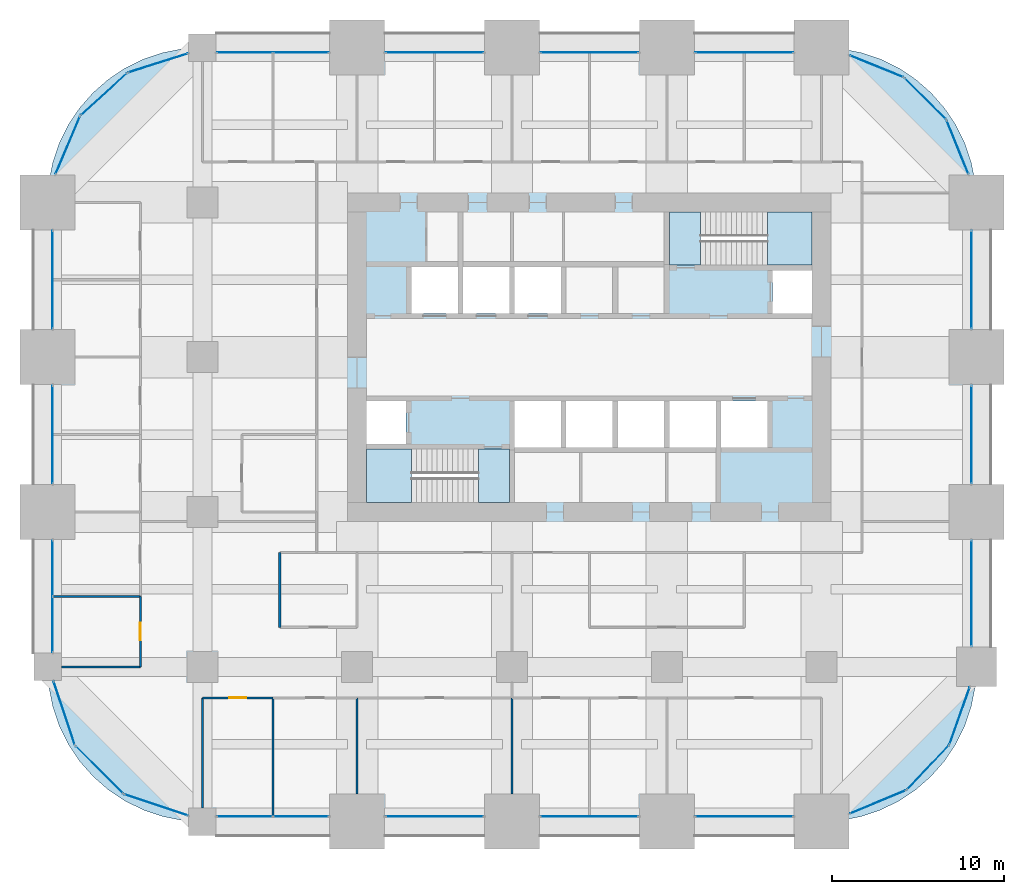
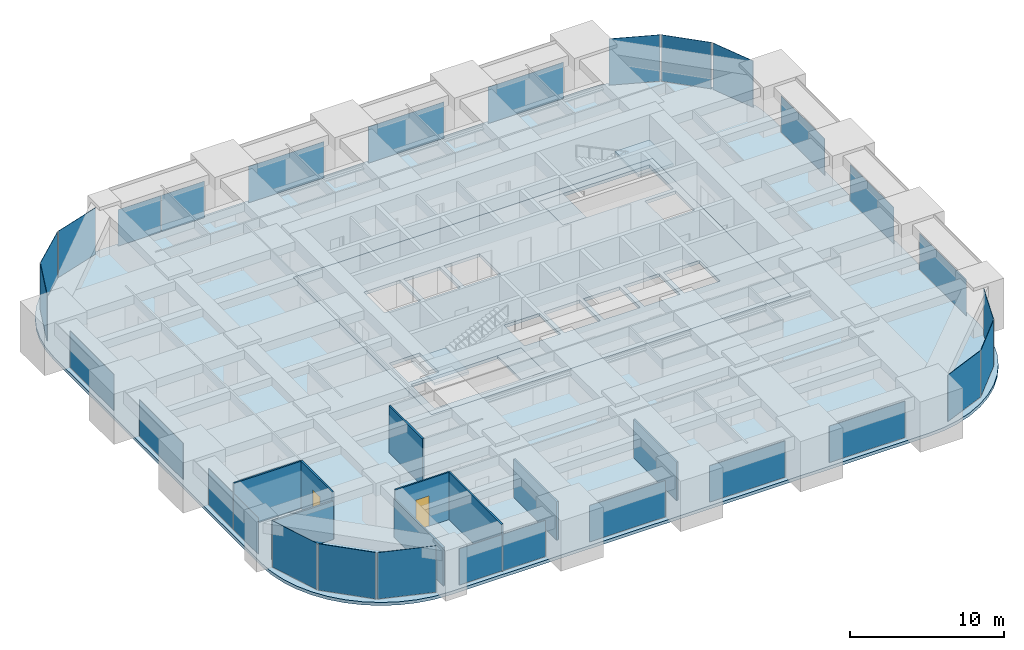
# One storey, part 30 of 36: 29 plates, 9 walls, 6 slabs, 2 doors, 2 openings, 28 elements without a shape of their own.
"""IFC4 building model written with IfcOpenShell, lengths in metres."""

from ifc_helpers import new_model, si_unit, direction, frame, frame_2d, origin, origin_2d, place, context, subcontext, project, spatial, polyline, rectangle, outline, extrude, material, layer, layer_set, type_object, element, fill, aggregate, save


model = new_model("IFC4")

# Units and contexts
model_context = context("Model", 3, precision=1e-05, world=origin(), true_north=direction((0.0, 1.0)))
body_context = subcontext(model_context, "Body", "Model", "MODEL_VIEW")
ifc_project = project(units=[si_unit("LENGTHUNIT", "METRE"), si_unit("AREAUNIT", "SQUARE_METRE"), si_unit("VOLUMEUNIT", "CUBIC_METRE"), si_unit("PLANEANGLEUNIT", "RADIAN"), si_unit("MASSUNIT", "GRAM", prefix="KILO")], contexts=[model_context])

# Site, building, storey
site_placement = place(None, origin())
site = spatial("IfcSite", under=ifc_project, at=site_placement, CompositionType="ELEMENT")
building_placement = place(site_placement, origin())
building = spatial("IfcBuilding", under=site, at=building_placement, Name="Zorevar Civic Tower", CompositionType="ELEMENT")
storey_placement = place(building_placement, frame((0.0, 0.0, 166.199951171875)))
storey = spatial("IfcBuildingStorey", under=building, at=storey_placement, Name="L40", CompositionType="ELEMENT", Elevation=166.199951171875)

# Curtain wall, plates
ifc_material_1 = material(Name="Dark grey solar-control glass in black aluminium frame", Category="aluminium")
curtain_wall_type = type_object("IfcCurtainWallType", Name="Curtain wall CW4 high zone", PredefinedType="NOTDEFINED", material=ifc_material_1)
curtain_wall_1_placement = place(storey_placement, origin())
curtain_wall_1 = element("IfcCurtainWall", 1, at=curtain_wall_1_placement, inside=storey, type_object=curtain_wall_type, Name="CW4 L40", PredefinedType="NOTDEFINED")
ifc_material_2 = material(Name="Dark grey solar-control glass", Category="glass")
ifc_layer_1 = layer(ifc_material_2, 0.028076171875)
ifc_layer_set_1 = layer_set([ifc_layer_1], Name="CW4 panel 28")
plate_type = type_object("IfcPlateType", Name="CW4 panel 28", PredefinedType="CURTAIN_PANEL", material=ifc_layer_set_1)
plate_1_placement = place(storey_placement, frame((11.465087890625, 0.300048828125, 0.06005859375), z_axis=(0.0, 0.0, 1.0), x_axis=(1.0, 0.0, 0.0)))
plate_1 = element("IfcPlate", 2, at=plate_1_placement, type_object=plate_type, Name="CW4 panel 1.1", PredefinedType="CURTAIN_PANEL", context=body_context, shape_type="SweptSolid", body=[
    extrude(rectangle(XDim=3.2099609375, YDim=0.028076171875, at=origin_2d()), origin(), (0.0, 0.0, 1.0), 2.889892578125),
])
plate_2_placement = place(storey_placement, frame((14.735107421875, 0.300048828125, 0.06005859375), z_axis=(0.0, 0.0, 1.0), x_axis=(1.0, 0.0, 0.0)))
plate_2 = element("IfcPlate", 3, at=plate_2_placement, type_object=plate_type, Name="CW4 panel 2.1", PredefinedType="CURTAIN_PANEL", context=body_context, shape_type="SweptSolid", body=[
    extrude(rectangle(XDim=3.2099609375, YDim=0.028076171875, at=origin_2d()), origin(), (0.0, 0.0, 1.0), 2.889892578125),
])
aggregate(curtain_wall_1, [plate_1, plate_2])

curtain_wall_2_placement = place(storey_placement, origin())
curtain_wall_2 = element("IfcCurtainWall", 4, at=curtain_wall_2_placement, inside=storey, type_object=curtain_wall_type, Name="CW4 L40", PredefinedType="NOTDEFINED")
plate_3_placement = place(storey_placement, frame((11.465087890625, 44.699951171875, 0.06005859375), z_axis=(0.0, 0.0, 1.0), x_axis=(1.0, 0.0, 0.0)))
plate_3 = element("IfcPlate", 5, at=plate_3_placement, type_object=plate_type, Name="CW4 panel 1.1", PredefinedType="CURTAIN_PANEL", context=body_context, shape_type="SweptSolid", body=[
    extrude(rectangle(XDim=3.2099609375, YDim=0.028076171875, at=origin_2d()), origin(), (0.0, 0.0, 1.0), 2.889892578125),
])
plate_4_placement = place(storey_placement, frame((14.735107421875, 44.699951171875, 0.06005859375), z_axis=(0.0, 0.0, 1.0), x_axis=(1.0, 0.0, 0.0)))
plate_4 = element("IfcPlate", 6, at=plate_4_placement, type_object=plate_type, Name="CW4 panel 2.1", PredefinedType="CURTAIN_PANEL", context=body_context, shape_type="SweptSolid", body=[
    extrude(rectangle(XDim=3.2099609375, YDim=0.028076171875, at=origin_2d()), origin(), (0.0, 0.0, 1.0), 2.889892578125),
])
aggregate(curtain_wall_2, [plate_3, plate_4])

# Curtain wall, plate
curtain_wall_3_placement = place(storey_placement, origin())
curtain_wall_3 = element("IfcCurtainWall", 7, at=curtain_wall_3_placement, inside=storey, type_object=curtain_wall_type, Name="CW4 L40", PredefinedType="NOTDEFINED")
plate_5_placement = place(storey_placement, frame((22.5, 0.300048828125, 0.06005859375), z_axis=(0.0, 0.0, 1.0), x_axis=(1.0, 0.0, 0.0)))
plate_5 = element("IfcPlate", 8, at=plate_5_placement, type_object=plate_type, Name="CW4 panel 1.1", PredefinedType="CURTAIN_PANEL", context=body_context, shape_type="SweptSolid", body=[
    extrude(rectangle(XDim=5.679931640625, YDim=0.028076171875, at=origin_2d()), origin(), (0.0, 0.0, 1.0), 2.889892578125),
])
aggregate(curtain_wall_3, [plate_5])

curtain_wall_4_placement = place(storey_placement, origin())
curtain_wall_4 = element("IfcCurtainWall", 9, at=curtain_wall_4_placement, inside=storey, type_object=curtain_wall_type, Name="CW4 L40", PredefinedType="NOTDEFINED")
plate_6_placement = place(storey_placement, frame((22.5, 44.699951171875, 0.06005859375), z_axis=(0.0, 0.0, 1.0), x_axis=(1.0, 0.0, 0.0)))
plate_6 = element("IfcPlate", 10, at=plate_6_placement, type_object=plate_type, Name="CW4 panel 1.1", PredefinedType="CURTAIN_PANEL", context=body_context, shape_type="SweptSolid", body=[
    extrude(rectangle(XDim=5.679931640625, YDim=0.028076171875, at=origin_2d()), origin(), (0.0, 0.0, 1.0), 2.889892578125),
])
aggregate(curtain_wall_4, [plate_6])

curtain_wall_5_placement = place(storey_placement, origin())
curtain_wall_5 = element("IfcCurtainWall", 11, at=curtain_wall_5_placement, inside=storey, type_object=curtain_wall_type, Name="CW4 L40", PredefinedType="NOTDEFINED")
plate_7_placement = place(storey_placement, frame((31.5, 0.300048828125, 0.06005859375), z_axis=(0.0, 0.0, 1.0), x_axis=(1.0, 0.0, 0.0)))
plate_7 = element("IfcPlate", 12, at=plate_7_placement, type_object=plate_type, Name="CW4 panel 1.1", PredefinedType="CURTAIN_PANEL", context=body_context, shape_type="SweptSolid", body=[
    extrude(rectangle(XDim=5.679931640625, YDim=0.028076171875, at=origin_2d()), origin(), (0.0, 0.0, 1.0), 2.889892578125),
])
aggregate(curtain_wall_5, [plate_7])

curtain_wall_6_placement = place(storey_placement, origin())
curtain_wall_6 = element("IfcCurtainWall", 13, at=curtain_wall_6_placement, inside=storey, type_object=curtain_wall_type, Name="CW4 L40", PredefinedType="NOTDEFINED")
plate_8_placement = place(storey_placement, frame((31.5, 44.699951171875, 0.06005859375), z_axis=(0.0, 0.0, 1.0), x_axis=(1.0, 0.0, 0.0)))
plate_8 = element("IfcPlate", 14, at=plate_8_placement, type_object=plate_type, Name="CW4 panel 1.1", PredefinedType="CURTAIN_PANEL", context=body_context, shape_type="SweptSolid", body=[
    extrude(rectangle(XDim=5.679931640625, YDim=0.028076171875, at=origin_2d()), origin(), (0.0, 0.0, 1.0), 2.889892578125),
])
aggregate(curtain_wall_6, [plate_8])

curtain_wall_7_placement = place(storey_placement, origin())
curtain_wall_7 = element("IfcCurtainWall", 15, at=curtain_wall_7_placement, inside=storey, type_object=curtain_wall_type, Name="CW4 L40", PredefinedType="NOTDEFINED")
plate_9_placement = place(storey_placement, frame((40.5, 0.300048828125, 0.06005859375), z_axis=(0.0, 0.0, 1.0), x_axis=(1.0, 0.0, 0.0)))
plate_9 = element("IfcPlate", 16, at=plate_9_placement, type_object=plate_type, Name="CW4 panel 1.1", PredefinedType="CURTAIN_PANEL", context=body_context, shape_type="SweptSolid", body=[
    extrude(rectangle(XDim=5.679931640625, YDim=0.028076171875, at=origin_2d()), origin(), (0.0, 0.0, 1.0), 2.889892578125),
])
aggregate(curtain_wall_7, [plate_9])

curtain_wall_8_placement = place(storey_placement, origin())
curtain_wall_8 = element("IfcCurtainWall", 17, at=curtain_wall_8_placement, inside=storey, type_object=curtain_wall_type, Name="CW4 L40", PredefinedType="NOTDEFINED")
plate_10_placement = place(storey_placement, frame((40.5, 44.699951171875, 0.06005859375), z_axis=(0.0, 0.0, 1.0), x_axis=(1.0, 0.0, 0.0)))
plate_10 = element("IfcPlate", 18, at=plate_10_placement, type_object=plate_type, Name="CW4 panel 1.1", PredefinedType="CURTAIN_PANEL", context=body_context, shape_type="SweptSolid", body=[
    extrude(rectangle(XDim=5.679931640625, YDim=0.028076171875, at=origin_2d()), origin(), (0.0, 0.0, 1.0), 2.889892578125),
])
aggregate(curtain_wall_8, [plate_10])

# Curtain wall, plates
curtain_wall_9_placement = place(storey_placement, origin())
curtain_wall_9 = element("IfcCurtainWall", 19, at=curtain_wall_9_placement, inside=storey, type_object=curtain_wall_type, Name="CW4 L40", PredefinedType="NOTDEFINED")
plate_11_placement = place(storey_placement, frame((0.300048828125, 11.465087890625, 0.06005859375), z_axis=(0.0, 0.0, 1.0), x_axis=(0.0, 1.0, 0.0)))
plate_11 = element("IfcPlate", 20, at=plate_11_placement, type_object=plate_type, Name="CW4 panel 1.1", PredefinedType="CURTAIN_PANEL", context=body_context, shape_type="SweptSolid", body=[
    extrude(rectangle(XDim=3.2099609375, YDim=0.028076171875, at=origin_2d()), origin(), (0.0, 0.0, 1.0), 2.889892578125),
])
plate_12_placement = place(storey_placement, frame((0.300048828125, 14.735107421875, 0.06005859375), z_axis=(0.0, 0.0, 1.0), x_axis=(0.0, 1.0, 0.0)))
plate_12 = element("IfcPlate", 21, at=plate_12_placement, type_object=plate_type, Name="CW4 panel 2.1", PredefinedType="CURTAIN_PANEL", context=body_context, shape_type="SweptSolid", body=[
    extrude(rectangle(XDim=3.2099609375, YDim=0.028076171875, at=origin_2d()), origin(), (0.0, 0.0, 1.0), 2.889892578125),
])
aggregate(curtain_wall_9, [plate_11, plate_12])

# Curtain wall, plate
curtain_wall_10_placement = place(storey_placement, origin())
curtain_wall_10 = element("IfcCurtainWall", 22, at=curtain_wall_10_placement, inside=storey, type_object=curtain_wall_type, Name="CW4 L40", PredefinedType="NOTDEFINED")
plate_13_placement = place(storey_placement, frame((53.699951171875, 13.27490234375, 0.06005859375), z_axis=(0.0, 0.0, 1.0), x_axis=(0.0, 1.0, 0.0)))
plate_13 = element("IfcPlate", 23, at=plate_13_placement, type_object=plate_type, Name="CW4 panel 1.1", PredefinedType="CURTAIN_PANEL", context=body_context, shape_type="SweptSolid", body=[
    extrude(rectangle(XDim=6.1298828125, YDim=0.028076171875, at=origin_2d()), origin(), (0.0, 0.0, 1.0), 2.889892578125),
])
aggregate(curtain_wall_10, [plate_13])

curtain_wall_11_placement = place(storey_placement, origin())
curtain_wall_11 = element("IfcCurtainWall", 24, at=curtain_wall_11_placement, inside=storey, type_object=curtain_wall_type, Name="CW4 L40", PredefinedType="NOTDEFINED")
plate_14_placement = place(storey_placement, frame((0.300048828125, 22.5, 0.06005859375), z_axis=(0.0, 0.0, 1.0), x_axis=(0.0, 1.0, 0.0)))
plate_14 = element("IfcPlate", 25, at=plate_14_placement, type_object=plate_type, Name="CW4 panel 1.1", PredefinedType="CURTAIN_PANEL", context=body_context, shape_type="SweptSolid", body=[
    extrude(rectangle(XDim=5.679931640625, YDim=0.028076171875, at=origin_2d()), origin(), (0.0, 0.0, 1.0), 2.889892578125),
])
aggregate(curtain_wall_11, [plate_14])

curtain_wall_12_placement = place(storey_placement, origin())
curtain_wall_12 = element("IfcCurtainWall", 26, at=curtain_wall_12_placement, inside=storey, type_object=curtain_wall_type, Name="CW4 L40", PredefinedType="NOTDEFINED")
plate_15_placement = place(storey_placement, frame((53.699951171875, 22.5, 0.06005859375), z_axis=(0.0, 0.0, 1.0), x_axis=(0.0, 1.0, 0.0)))
plate_15 = element("IfcPlate", 27, at=plate_15_placement, type_object=plate_type, Name="CW4 panel 1.1", PredefinedType="CURTAIN_PANEL", context=body_context, shape_type="SweptSolid", body=[
    extrude(rectangle(XDim=5.679931640625, YDim=0.028076171875, at=origin_2d()), origin(), (0.0, 0.0, 1.0), 2.889892578125),
])
aggregate(curtain_wall_12, [plate_15])

curtain_wall_13_placement = place(storey_placement, origin())
curtain_wall_13 = element("IfcCurtainWall", 28, at=curtain_wall_13_placement, inside=storey, type_object=curtain_wall_type, Name="CW4 L40", PredefinedType="NOTDEFINED")
plate_16_placement = place(storey_placement, frame((0.300048828125, 31.5, 0.06005859375), z_axis=(0.0, 0.0, 1.0), x_axis=(0.0, 1.0, 0.0)))
plate_16 = element("IfcPlate", 29, at=plate_16_placement, type_object=plate_type, Name="CW4 panel 1.1", PredefinedType="CURTAIN_PANEL", context=body_context, shape_type="SweptSolid", body=[
    extrude(rectangle(XDim=5.679931640625, YDim=0.028076171875, at=origin_2d()), origin(), (0.0, 0.0, 1.0), 2.889892578125),
])
aggregate(curtain_wall_13, [plate_16])

curtain_wall_14_placement = place(storey_placement, origin())
curtain_wall_14 = element("IfcCurtainWall", 30, at=curtain_wall_14_placement, inside=storey, type_object=curtain_wall_type, Name="CW4 L40", PredefinedType="NOTDEFINED")
plate_17_placement = place(storey_placement, frame((53.699951171875, 31.5, 0.06005859375), z_axis=(0.0, 0.0, 1.0), x_axis=(0.0, 1.0, 0.0)))
plate_17 = element("IfcPlate", 31, at=plate_17_placement, type_object=plate_type, Name="CW4 panel 1.1", PredefinedType="CURTAIN_PANEL", context=body_context, shape_type="SweptSolid", body=[
    extrude(rectangle(XDim=5.679931640625, YDim=0.028076171875, at=origin_2d()), origin(), (0.0, 0.0, 1.0), 2.889892578125),
])
aggregate(curtain_wall_14, [plate_17])

curtain_wall_15_placement = place(storey_placement, origin())
curtain_wall_15 = element("IfcCurtainWall", 32, at=curtain_wall_15_placement, inside=storey, type_object=curtain_wall_type, Name="CW4 L40", PredefinedType="NOTDEFINED")
plate_18_placement = place(storey_placement, frame((48.265869140625, 1.140625, 0.06005859375), z_axis=(0.0, 0.0, 1.0), x_axis=(0.923446025005, 0.383728339979, 0.0)))
plate_18 = element("IfcPlate", 33, at=plate_18_placement, type_object=plate_type, Name="CW4 panel 1.1", PredefinedType="CURTAIN_PANEL", context=body_context, shape_type="SweptSolid", body=[
    extrude(rectangle(XDim=3.488037109375, YDim=0.028076171875, at=origin_2d()), origin(), (0.0, 0.0, 1.0), 3.68994140625),
])
aggregate(curtain_wall_15, [plate_18])

curtain_wall_16_placement = place(storey_placement, origin())
curtain_wall_16 = element("IfcCurtainWall", 34, at=curtain_wall_16_placement, inside=storey, type_object=curtain_wall_type, Name="CW4 L40", PredefinedType="NOTDEFINED")
plate_19_placement = place(storey_placement, frame((51.173583984375, 3.1416015625, 0.06005859375), z_axis=(0.0, 0.0, 1.0), x_axis=(0.688344102306, 0.725384309743, 0.0)))
plate_19 = element("IfcPlate", 35, at=plate_19_placement, type_object=plate_type, Name="CW4 panel 1.1", PredefinedType="CURTAIN_PANEL", context=body_context, shape_type="SweptSolid", body=[
    extrude(rectangle(XDim=3.488037109375, YDim=0.028076171875, at=origin_2d()), origin(), (0.0, 0.0, 1.0), 3.68994140625),
])
aggregate(curtain_wall_16, [plate_19])

curtain_wall_17_placement = place(storey_placement, origin())
curtain_wall_17 = element("IfcCurtainWall", 36, at=curtain_wall_17_placement, inside=storey, type_object=curtain_wall_type, Name="CW4 L40", PredefinedType="NOTDEFINED")
plate_20_placement = place(storey_placement, frame((53.01953125, 6.150146484375, 0.06005859375), z_axis=(0.0, 0.0, 1.0), x_axis=(0.334845404696, 0.942273078759, 0.0)))
plate_20 = element("IfcPlate", 37, at=plate_20_placement, type_object=plate_type, Name="CW4 panel 1.1", PredefinedType="CURTAIN_PANEL", context=body_context, shape_type="SweptSolid", body=[
    extrude(rectangle(XDim=3.488037109375, YDim=0.028076171875, at=origin_2d()), origin(), (0.0, 0.0, 1.0), 3.68994140625),
])
aggregate(curtain_wall_17, [plate_20])

curtain_wall_18_placement = place(storey_placement, origin())
curtain_wall_18 = element("IfcCurtainWall", 38, at=curtain_wall_18_placement, inside=storey, type_object=curtain_wall_type, Name="CW4 L40", PredefinedType="NOTDEFINED")
plate_21_placement = place(storey_placement, frame((52.90185546875, 39.202880859375, 0.06005859375), z_axis=(0.0, 0.0, 1.0), x_axis=(-0.375650166453, 0.926761540227, 0.0)))
plate_21 = element("IfcPlate", 39, at=plate_21_placement, type_object=plate_type, Name="CW4 panel 1.1", PredefinedType="CURTAIN_PANEL", context=body_context, shape_type="SweptSolid", body=[
    extrude(rectangle(XDim=3.33935546875, YDim=0.028076171875, at=origin_2d()), origin(), (0.0, 0.0, 1.0), 3.68994140625),
])
aggregate(curtain_wall_18, [plate_21])

curtain_wall_19_placement = place(storey_placement, origin())
curtain_wall_19 = element("IfcCurtainWall", 40, at=curtain_wall_19_placement, inside=storey, type_object=curtain_wall_type, Name="CW4 L40", PredefinedType="NOTDEFINED")
plate_22_placement = place(storey_placement, frame((51.029052734375, 42.029052734375, 0.06005859375), z_axis=(0.0, 0.0, 1.0), x_axis=(-0.707106781187, 0.707106781187, 0.0)))
plate_22 = element("IfcPlate", 41, at=plate_22_placement, type_object=plate_type, Name="CW4 panel 1.1", PredefinedType="CURTAIN_PANEL", context=body_context, shape_type="SweptSolid", body=[
    extrude(rectangle(XDim=3.33935546875, YDim=0.028076171875, at=origin_2d()), origin(), (0.0, 0.0, 1.0), 3.68994140625),
])
aggregate(curtain_wall_19, [plate_22])

curtain_wall_20_placement = place(storey_placement, origin())
curtain_wall_20 = element("IfcCurtainWall", 42, at=curtain_wall_20_placement, inside=storey, type_object=curtain_wall_type, Name="CW4 L40", PredefinedType="NOTDEFINED")
plate_23_placement = place(storey_placement, frame((48.202880859375, 43.90185546875, 0.06005859375), z_axis=(0.0, 0.0, 1.0), x_axis=(-0.926761540227, 0.375650166453, 0.0)))
plate_23 = element("IfcPlate", 43, at=plate_23_placement, type_object=plate_type, Name="CW4 panel 1.1", PredefinedType="CURTAIN_PANEL", context=body_context, shape_type="SweptSolid", body=[
    extrude(rectangle(XDim=3.33935546875, YDim=0.028076171875, at=origin_2d()), origin(), (0.0, 0.0, 1.0), 3.68994140625),
])
aggregate(curtain_wall_20, [plate_23])

curtain_wall_21_placement = place(storey_placement, origin())
curtain_wall_21 = element("IfcCurtainWall", 44, at=curtain_wall_21_placement, inside=storey, type_object=curtain_wall_type, Name="CW4 L40", PredefinedType="NOTDEFINED")
plate_24_placement = place(storey_placement, frame((6.426025390625, 44.099365234375, 0.06005859375), z_axis=(0.0, 0.0, 1.0), x_axis=(-0.953035458272, -0.302858738154, 0.0)))
plate_24 = element("IfcPlate", 45, at=plate_24_placement, type_object=plate_type, Name="CW4 panel 1.1", PredefinedType="CURTAIN_PANEL", context=body_context, shape_type="SweptSolid", body=[
    extrude(rectangle(XDim=3.602783203125, YDim=0.028076171875, at=origin_2d()), origin(), (0.0, 0.0, 1.0), 3.68994140625),
])
aggregate(curtain_wall_21, [plate_24])

curtain_wall_22_placement = place(storey_placement, origin())
curtain_wall_22 = element("IfcCurtainWall", 46, at=curtain_wall_22_placement, inside=storey, type_object=curtain_wall_type, Name="CW4 L40", PredefinedType="NOTDEFINED")
plate_25_placement = place(storey_placement, frame((3.276123046875, 42.28173828125, 0.06005859375), z_axis=(0.0, 0.0, 1.0), x_axis=(-0.739157439623, -0.673532686252, 0.0)))
plate_25 = element("IfcPlate", 47, at=plate_25_placement, type_object=plate_type, Name="CW4 panel 1.1", PredefinedType="CURTAIN_PANEL", context=body_context, shape_type="SweptSolid", body=[
    extrude(rectangle(XDim=3.602783203125, YDim=0.028076171875, at=origin_2d()), origin(), (0.0, 0.0, 1.0), 3.68994140625),
])
aggregate(curtain_wall_22, [plate_25])

curtain_wall_23_placement = place(storey_placement, origin())
curtain_wall_23 = element("IfcCurtainWall", 48, at=curtain_wall_23_placement, inside=storey, type_object=curtain_wall_type, Name="CW4 L40", PredefinedType="NOTDEFINED")
plate_26_placement = place(storey_placement, frame((1.17431640625, 39.31396484375, 0.06005859375), z_axis=(0.0, 0.0, 1.0), x_axis=(-0.389965213734, -0.920829589054, 0.0)))
plate_26 = element("IfcPlate", 49, at=plate_26_placement, type_object=plate_type, Name="CW4 panel 1.1", PredefinedType="CURTAIN_PANEL", context=body_context, shape_type="SweptSolid", body=[
    extrude(rectangle(XDim=3.602783203125, YDim=0.028076171875, at=origin_2d()), origin(), (0.0, 0.0, 1.0), 3.68994140625),
])
aggregate(curtain_wall_23, [plate_26])

curtain_wall_24_placement = place(storey_placement, origin())
curtain_wall_24 = element("IfcCurtainWall", 50, at=curtain_wall_24_placement, inside=storey, type_object=curtain_wall_type, Name="CW4 L40", PredefinedType="NOTDEFINED")
plate_27_placement = place(storey_placement, frame((0.9697265625, 6.310546875, 0.06005859375), z_axis=(0.0, 0.0, 1.0), x_axis=(0.317592669603, -0.948227238701, 0.0)))
plate_27 = element("IfcPlate", 51, at=plate_27_placement, type_object=plate_type, Name="CW4 panel 1.1", PredefinedType="CURTAIN_PANEL", context=body_context, shape_type="SweptSolid", body=[
    extrude(rectangle(XDim=3.865478515625, YDim=0.028076171875, at=origin_2d()), origin(), (0.0, 0.0, 1.0), 3.68994140625),
])
aggregate(curtain_wall_24, [plate_27])

curtain_wall_25_placement = place(storey_placement, origin())
curtain_wall_25 = element("IfcCurtainWall", 52, at=curtain_wall_25_placement, inside=storey, type_object=curtain_wall_type, Name="CW4 L40", PredefinedType="NOTDEFINED")
plate_28_placement = place(storey_placement, frame((3.01171875, 3.01171875, 0.06005859375), z_axis=(0.0, 0.0, 1.0), x_axis=(0.707106781187, -0.707106781187, 0.0)))
plate_28 = element("IfcPlate", 53, at=plate_28_placement, type_object=plate_type, Name="CW4 panel 1.1", PredefinedType="CURTAIN_PANEL", context=body_context, shape_type="SweptSolid", body=[
    extrude(rectangle(XDim=3.865478515625, YDim=0.028076171875, at=origin_2d()), origin(), (0.0, 0.0, 1.0), 3.68994140625),
])
aggregate(curtain_wall_25, [plate_28])

curtain_wall_26_placement = place(storey_placement, origin())
curtain_wall_26 = element("IfcCurtainWall", 54, at=curtain_wall_26_placement, inside=storey, type_object=curtain_wall_type, Name="CW4 L40", PredefinedType="NOTDEFINED")
plate_29_placement = place(storey_placement, frame((6.310546875, 0.9697265625, 0.06005859375), z_axis=(0.0, 0.0, 1.0), x_axis=(0.948227238701, -0.317592669603, 0.0)))
plate_29 = element("IfcPlate", 55, at=plate_29_placement, type_object=plate_type, Name="CW4 panel 1.1", PredefinedType="CURTAIN_PANEL", context=body_context, shape_type="SweptSolid", body=[
    extrude(rectangle(XDim=3.865478515625, YDim=0.028076171875, at=origin_2d()), origin(), (0.0, 0.0, 1.0), 3.68994140625),
])
aggregate(curtain_wall_26, [plate_29])

# Slabs
ifc_material_3 = material(Name="Concrete C40/50", Category="concrete")
ifc_layer_2 = layer(ifc_material_3, 0.25)
ifc_layer_set_2 = layer_set([ifc_layer_2], Name="Floor slab 250")
slab_type_1 = type_object("IfcSlabType", Name="Floor slab 250", PredefinedType="FLOOR", material=ifc_layer_set_2)
slab_1_placement = place(storey_placement, frame((0.0, 0.0, -0.25)))
element("IfcSlab", 56, at=slab_1_placement, inside=storey, type_object=slab_type_1, Name="Floor slab L40", PredefinedType="FLOOR", context=body_context, shape_type="SweptSolid", body=[
    extrude(outline(polyline([(45.0, 0.0), (46.1748046875, 0.076904296875), (47.329345703125, 0.306640625), (48.444091796875, 0.68505859375), (49.5, 1.205810546875), (50.478759765625, 1.85986328125), (51.364013671875, 2.635986328125), (52.14013671875, 3.521240234375), (52.794189453125, 4.5), (53.31494140625, 5.555908203125), (53.693359375, 6.670654296875), (53.923095703125, 7.8251953125), (54.0, 9.0), (54.0, 36.0), (53.923095703125, 37.1748046875), (53.693359375, 38.329345703125), (53.31494140625, 39.444091796875), (52.794189453125, 40.5), (52.14013671875, 41.478759765625), (51.364013671875, 42.364013671875), (50.478759765625, 43.14013671875), (49.5, 43.794189453125), (48.444091796875, 44.31494140625), (47.329345703125, 44.693359375), (46.1748046875, 44.923095703125), (45.0, 45.0), (9.0, 45.0), (7.8251953125, 44.923095703125), (6.670654296875, 44.693359375), (5.555908203125, 44.31494140625), (4.5, 43.794189453125), (3.521240234375, 43.14013671875), (2.635986328125, 42.364013671875), (1.85986328125, 41.478759765625), (1.205810546875, 40.5), (0.68505859375, 39.444091796875), (0.306640625, 38.329345703125), (0.076904296875, 37.1748046875), (0.0, 36.0), (0.0, 9.0), (0.076904296875, 7.8251953125), (0.306640625, 6.670654296875), (0.68505859375, 5.555908203125), (1.205810546875, 4.5), (1.85986328125, 3.521240234375), (2.635986328125, 2.635986328125), (3.521240234375, 1.85986328125), (4.5, 1.205810546875), (5.555908203125, 0.68505859375), (6.670654296875, 0.306640625), (7.8251953125, 0.076904296875), (9.0, 0.0), (45.0, 0.0)]), holes=[polyline([(18.0, 18.0), (45.0, 18.0), (45.0, 36.0), (18.0, 36.0), (18.0, 18.0)])]), origin(), (0.0, 0.0, 1.0), 0.25),
])
slab_2_placement = place(storey_placement, frame((0.0, 0.0, -0.25)))
element("IfcSlab", 57, at=slab_2_placement, inside=storey, type_object=slab_type_1, Name="Core floor L40", PredefinedType="FLOOR", context=body_context, shape_type="SweptSolid", body=[
    extrude(outline(polyline([(18.0, 18.0), (45.0, 18.0), (45.0, 36.0), (18.0, 36.0), (18.0, 18.0)]), holes=[polyline([(18.550048828125, 18.550048828125), (26.85009765625, 18.550048828125), (26.85009765625, 21.64990234375), (18.550048828125, 21.64990234375), (18.550048828125, 18.550048828125)]), polyline([(36.14990234375, 32.35009765625), (44.449951171875, 32.35009765625), (44.449951171875, 35.449951171875), (36.14990234375, 35.449951171875), (36.14990234375, 32.35009765625)]), polyline([(18.550048828125, 21.949951171875), (20.85009765625, 21.949951171875), (20.85009765625, 24.449951171875), (18.550048828125, 24.449951171875), (18.550048828125, 21.949951171875)]), polyline([(42.14990234375, 29.550048828125), (44.449951171875, 29.550048828125), (44.449951171875, 32.050048828125), (42.14990234375, 32.050048828125), (42.14990234375, 29.550048828125)]), polyline([(27.14990234375, 21.75), (29.85009765625, 21.75), (29.85009765625, 24.449951171875), (27.14990234375, 24.449951171875), (27.14990234375, 21.75)]), polyline([(30.14990234375, 21.75), (32.85009765625, 21.75), (32.85009765625, 24.449951171875), (30.14990234375, 24.449951171875), (30.14990234375, 21.75)]), polyline([(33.14990234375, 21.75), (35.85009765625, 21.75), (35.85009765625, 24.449951171875), (33.14990234375, 24.449951171875), (33.14990234375, 21.75)]), polyline([(27.14990234375, 29.550048828125), (29.85009765625, 29.550048828125), (29.85009765625, 32.25), (27.14990234375, 32.25), (27.14990234375, 29.550048828125)]), polyline([(36.14990234375, 21.75), (38.85009765625, 21.75), (38.85009765625, 24.449951171875), (36.14990234375, 24.449951171875), (36.14990234375, 21.75)]), polyline([(24.14990234375, 29.550048828125), (26.85009765625, 29.550048828125), (26.85009765625, 32.25), (24.14990234375, 32.25), (24.14990234375, 29.550048828125)]), polyline([(39.14990234375, 21.75), (41.85009765625, 21.75), (41.85009765625, 24.449951171875), (39.14990234375, 24.449951171875), (39.14990234375, 21.75)]), polyline([(21.14990234375, 29.550048828125), (23.85009765625, 29.550048828125), (23.85009765625, 32.25), (21.14990234375, 32.25), (21.14990234375, 29.550048828125)])]), origin(), (0.0, 0.0, 1.0), 0.25),
])

# Stair, slabs
ifc_material_4 = material(Name="Precast concrete C40/50", Category="concrete")
stair_type = type_object("IfcStairType", Name="Stair ST 28R", PredefinedType="HALF_TURN_STAIR", material=ifc_material_4)
stair_1_placement = place(storey_placement, origin())
stair_1 = element("IfcStair", 58, at=stair_1_placement, inside=storey, type_object=stair_type, Name="Stair ST1 L40", PredefinedType="HALF_TURN_STAIR")
ifc_material_5 = material(Name="Concrete C40/50", Category="concrete")
ifc_layer_3 = layer(ifc_material_5, 0.199951171875)
ifc_layer_set_3 = layer_set([ifc_layer_3], Name="Stair landing 200")
slab_type_2 = type_object("IfcSlabType", Name="Stair landing 200", PredefinedType="LANDING", material=ifc_layer_set_3)
slab_3_placement = place(storey_placement, frame((0.0, 0.0, -0.199951171875)))
slab_3 = element("IfcSlab", 59, at=slab_3_placement, type_object=slab_type_2, Name="ST1 landing 1", PredefinedType="LANDING", context=body_context, shape_type="SweptSolid", body=[
    extrude(outline(polyline([(25.050048828125, 18.550048828125), (26.85009765625, 18.550048828125), (26.85009765625, 21.64990234375), (25.050048828125, 21.64990234375), (25.050048828125, 18.550048828125)])), origin(), (0.0, 0.0, 1.0), 0.199951171875),
])
slab_4_placement = place(storey_placement, frame((0.0, 0.0, 1.800048828125)))
slab_4 = element("IfcSlab", 60, at=slab_4_placement, type_object=slab_type_2, Name="ST1 landing 2", PredefinedType="LANDING", context=body_context, shape_type="SweptSolid", body=[
    extrude(outline(polyline([(18.550048828125, 18.550048828125), (21.14990234375, 18.550048828125), (21.14990234375, 21.64990234375), (18.550048828125, 21.64990234375), (18.550048828125, 18.550048828125)])), origin(), (0.0, 0.0, 1.0), 0.199951171875),
])
aggregate(stair_1, [slab_3, slab_4])

stair_2_placement = place(storey_placement, origin())
stair_2 = element("IfcStair", 61, at=stair_2_placement, inside=storey, type_object=stair_type, Name="Stair ST2 L40", PredefinedType="HALF_TURN_STAIR")
slab_5_placement = place(storey_placement, frame((0.0, 0.0, -0.199951171875)))
slab_5 = element("IfcSlab", 62, at=slab_5_placement, type_object=slab_type_2, Name="ST2 landing 1", PredefinedType="LANDING", context=body_context, shape_type="SweptSolid", body=[
    extrude(outline(polyline([(37.949951171875, 32.35009765625), (36.14990234375, 32.35009765625), (36.14990234375, 35.449951171875), (37.949951171875, 35.449951171875), (37.949951171875, 32.35009765625)])), origin(), (0.0, 0.0, 1.0), 0.199951171875),
])
slab_6_placement = place(storey_placement, frame((0.0, 0.0, 1.800048828125)))
slab_6 = element("IfcSlab", 63, at=slab_6_placement, type_object=slab_type_2, Name="ST2 landing 2", PredefinedType="LANDING", context=body_context, shape_type="SweptSolid", body=[
    extrude(outline(polyline([(44.449951171875, 32.35009765625), (41.85009765625, 32.35009765625), (41.85009765625, 35.449951171875), (44.449951171875, 35.449951171875), (44.449951171875, 32.35009765625)])), origin(), (0.0, 0.0, 1.0), 0.199951171875),
])
aggregate(stair_2, [slab_5, slab_6])

# Wall, opening, door
ifc_material_6 = material(Name="Gypsum board on steel studs", Category="steel")
ifc_layer_4 = layer(ifc_material_6, 0.1201171875)
ifc_layer_set_4 = layer_set([ifc_layer_4], Name="Partition 120")
wall_type = type_object("IfcWallType", Name="Partition 120", PredefinedType="PARTITIONING", material=ifc_layer_set_4)
wall_1_placement = place(storey_placement, frame((9.0, 7.199951171875, 0.0), z_axis=(0.0, 0.0, 1.0), x_axis=(1.0, 0.0, 0.0)))
wall_1 = element("IfcWall", 64, at=wall_1_placement, inside=storey, type_object=wall_type, Name="Partition 120 L40", PredefinedType="PARTITIONING", context=body_context, shape_type="SweptSolid", body=[
    extrude(rectangle(XDim=4.10009765625, YDim=0.1201171875, at=frame_2d((2.050048828125, 0.0))), origin(), (0.0, 0.0, 1.0), 3.75),
])
opening_1_placement = place(wall_1_placement, frame((1.550048828125, 0.0, 0.0)))
opening_1 = element("IfcOpeningElement", 65, at=opening_1_placement, cuts=wall_1, Name="Opening L40.17", PredefinedType="OPENING", context=body_context, shape_type="SweptSolid", body=[
    extrude(rectangle(XDim=1.0, YDim=2.39990234375, at=frame_2d((0.5, 1.199951171875))), frame((0.0, 0.070068359375, 0.0), z_axis=(0.0, -1.0, 0.0), x_axis=(1.0, 0.0, 0.0)), (0.0, 0.0, 1.0), 0.14013671875),
])
ifc_material_7 = material(Name="Timber door set", Category="wood")
door_type = type_object("IfcDoorType", Name="Door D1 1000x2400", OperationType="SINGLE_SWING_LEFT", PredefinedType="DOOR", material=ifc_material_7)
door_1_placement = place(opening_1_placement, origin())
door_1 = element("IfcDoor", 66, at=door_1_placement, inside=storey, type_object=door_type, Name="Door L40 D1", OperationType="SINGLE_SWING_RIGHT", OverallHeight=2.39990234375, OverallWidth=1.0, PredefinedType="DOOR", context=body_context, shape_type="SweptSolid", body=[
    extrude(rectangle(XDim=1.0, YDim=2.39990234375, at=frame_2d((0.5, 1.199951171875))), frame((0.0, 0.02490234375, 0.0), z_axis=(0.0, -1.0, 0.0), x_axis=(1.0, 0.0, 0.0)), (0.0, 0.0, 1.0), 0.050048828125),
])
fill(opening_1, door_1)

# Walls
wall_2_placement = place(storey_placement, frame((0.800048828125, 9.0, 0.0), z_axis=(0.0, 0.0, 1.0), x_axis=(1.0, 0.0, 0.0)))
element("IfcWall", 67, at=wall_2_placement, inside=storey, type_object=wall_type, Name="Partition 120 L40", PredefinedType="PARTITIONING", context=body_context, shape_type="SweptSolid", body=[
    extrude(rectangle(XDim=4.599853515625, YDim=0.1201171875, at=frame_2d((2.2998046875, 0.0))), origin(), (0.0, 0.0, 1.0), 3.050048828125),
])
wall_3_placement = place(storey_placement, frame((0.31005859375, 13.10009765625, 0.0), z_axis=(0.0, 0.0, 1.0), x_axis=(1.0, 0.0, 0.0)))
element("IfcWall", 68, at=wall_3_placement, inside=storey, type_object=wall_type, Name="Partition 120 L40", PredefinedType="PARTITIONING", context=body_context, shape_type="SweptSolid", body=[
    extrude(rectangle(XDim=5.08984375, YDim=0.1201171875, at=frame_2d((2.544921875, 0.0))), origin(), (0.0, 0.0, 1.0), 3.75),
])

# Wall, opening, door
wall_4_placement = place(storey_placement, frame((5.39990234375, 9.0, 0.0), z_axis=(0.0, 0.0, 1.0), x_axis=(0.0, 1.0, 0.0)))
wall_4 = element("IfcWall", 69, at=wall_4_placement, inside=storey, type_object=wall_type, Name="Partition 120 L40", PredefinedType="PARTITIONING", context=body_context, shape_type="SweptSolid", body=[
    extrude(rectangle(XDim=4.10009765625, YDim=0.1201171875, at=frame_2d((2.050048828125, 0.0))), origin(), (0.0, 0.0, 1.0), 3.75),
])
opening_2_placement = place(wall_4_placement, frame((1.550048828125, 0.0, 0.0)))
opening_2 = element("IfcOpeningElement", 70, at=opening_2_placement, cuts=wall_4, Name="Opening L40.36", PredefinedType="OPENING", context=body_context, shape_type="SweptSolid", body=[
    extrude(rectangle(XDim=1.0, YDim=2.39990234375, at=frame_2d((0.5, 1.199951171875))), frame((0.0, 0.070068359375, 0.0), z_axis=(0.0, -1.0, 0.0), x_axis=(1.0, 0.0, 0.0)), (0.0, 0.0, 1.0), 0.14013671875),
])
door_2_placement = place(opening_2_placement, origin())
door_2 = element("IfcDoor", 71, at=door_2_placement, inside=storey, type_object=door_type, Name="Door L40 D1", OperationType="SINGLE_SWING_RIGHT", OverallHeight=2.39990234375, OverallWidth=1.0, PredefinedType="DOOR", context=body_context, shape_type="SweptSolid", body=[
    extrude(rectangle(XDim=1.0, YDim=2.39990234375, at=frame_2d((0.5, 1.199951171875))), frame((0.0, 0.02490234375, 0.0), z_axis=(0.0, -1.0, 0.0), x_axis=(1.0, 0.0, 0.0)), (0.0, 0.0, 1.0), 0.050048828125),
])
fill(opening_2, door_2)

# Walls
wall_5_placement = place(storey_placement, frame((9.0, 0.800048828125, 0.0), z_axis=(0.0, 0.0, 1.0), x_axis=(0.0, 1.0, 0.0)))
element("IfcWall", 72, at=wall_5_placement, inside=storey, type_object=wall_type, Name="Partition 120 L40", PredefinedType="PARTITIONING", context=body_context, shape_type="SweptSolid", body=[
    extrude(rectangle(XDim=6.39990234375, YDim=0.1201171875, at=frame_2d((3.199951171875, 0.0))), origin(), (0.0, 0.0, 1.0), 3.050048828125),
])
wall_6_placement = place(storey_placement, frame((13.10009765625, 0.31005859375, 0.0), z_axis=(0.0, 0.0, 1.0), x_axis=(0.0, 1.0, 0.0)))
element("IfcWall", 73, at=wall_6_placement, inside=storey, type_object=wall_type, Name="Partition 120 L40", PredefinedType="PARTITIONING", context=body_context, shape_type="SweptSolid", body=[
    extrude(rectangle(XDim=6.889892578125, YDim=0.1201171875, at=frame_2d((3.44482421875, 0.0))), origin(), (0.0, 0.0, 1.0), 3.75),
])
wall_7_placement = place(storey_placement, frame((13.5, 11.300048828125, 0.0), z_axis=(0.0, 0.0, 1.0), x_axis=(0.0, 1.0, 0.0)))
element("IfcWall", 74, at=wall_7_placement, inside=storey, type_object=wall_type, Name="Partition 120 L40", PredefinedType="PARTITIONING", context=body_context, shape_type="SweptSolid", body=[
    extrude(rectangle(XDim=4.349853515625, YDim=0.1201171875, at=frame_2d((2.1748046875, 0.0))), origin(), (0.0, 0.0, 1.0), 3.75),
])
for number, where, z_axis, x_axis, name in (
    (75, (18.0, 1.60009765625, 0.0), (0.0, 0.0, 1.0), (0.0, 1.0, 0.0), "Partition 120 L40"),
    (76, (27.0, 1.60009765625, 0.0), (0.0, 0.0, 1.0), (0.0, 1.0, 0.0), "Partition 120 L40"),
):
    element("IfcWall", number, at=place(storey_placement, frame(where, z_axis=z_axis, x_axis=x_axis)), inside=storey, type_object=wall_type, Name=name, PredefinedType="PARTITIONING", context=body_context, shape_type="SweptSolid", body=[
        extrude(rectangle(XDim=5.599853515625, YDim=0.1201171875, at=frame_2d((2.7998046875, 0.0))), origin(), (0.0, 0.0, 1.0), 3.050048828125),
    ])

save(model, "model.ifc")
